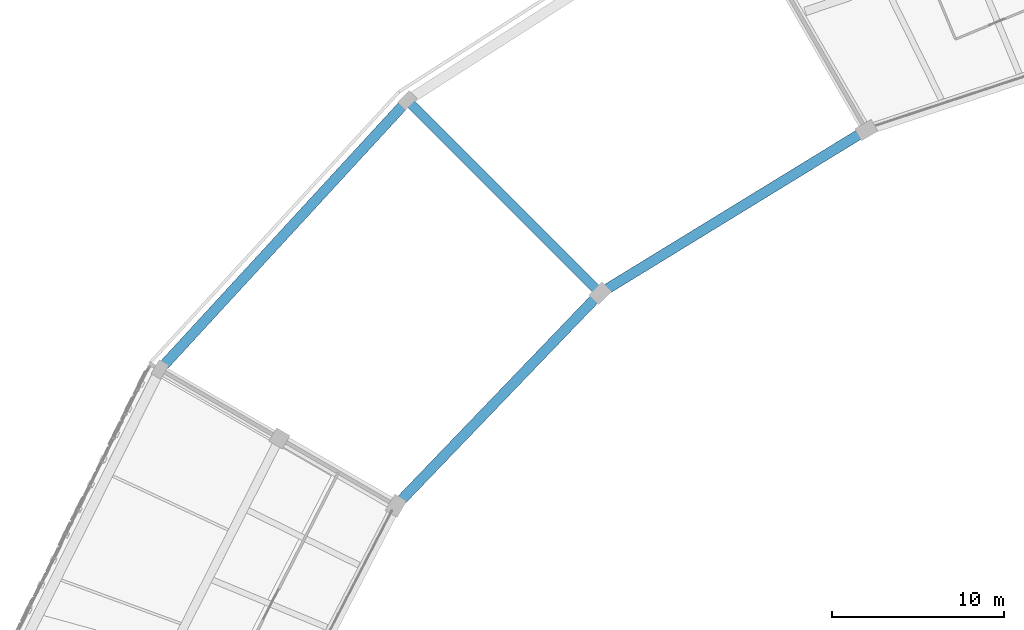
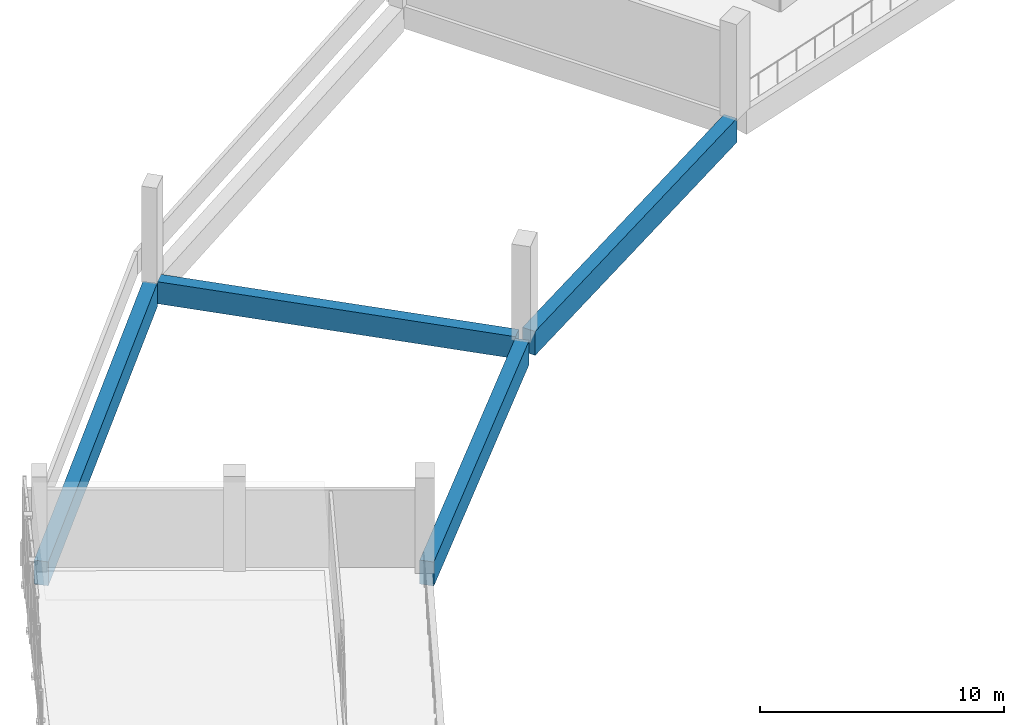
# One storey, part 15 of 64: 4 beams.
"""IFC4 building model written with IfcOpenShell, lengths in metres."""

import ifcopenshell
import ifcopenshell.guid

model = None  # the IFC model being written
_history = None  # IfcOwnerHistory: only IFC2X3 demands one
_inside = {}  # id of a spatial element -> (the spatial element, [elements in it])
_under = {}  # id of a project, library or spatial element -> (it, [spatial elements below it])
_declared = {}  # id of a project -> (the project, [libraries it declares])
_typed = {}  # id of a type object -> (the type object, [elements of that type])
_made_of = {}  # id of a material, layer set ... -> (it, [elements and type objects made of it])


def new_model(schema):
    """Start an empty IFC model of exactly this schema.

    Asked for "IFC4X3", IfcOpenShell would pick the latest addendum, in which some entities
    have other attributes; the version numbers below select the first issue.
    IFC2X3 requires an IfcOwnerHistory on every rooted entity: one is made here for all.
    """
    global model, _history
    if schema == "IFC4X3":
        model = ifcopenshell.file(schema_version=(4, 3, 0, 0))
    else:
        model = ifcopenshell.file(schema=schema)
    _inside.clear()
    _under.clear()
    _declared.clear()
    _typed.clear()
    _made_of.clear()
    _history = None
    if model.schema == "IFC2X3":
        org = make("IfcOrganization", Name="unknown")
        user = make(
            "IfcPersonAndOrganization",
            ThePerson=make("IfcPerson", FamilyName="unknown"),
            TheOrganization=org,
        )
        app = make(
            "IfcApplication",
            ApplicationDeveloper=org,
            Version="unknown",
            ApplicationFullName="unknown",
            ApplicationIdentifier="unknown",
        )
        _history = make(
            "IfcOwnerHistory",
            OwningUser=user,
            OwningApplication=app,
            ChangeAction="ADDED",
            CreationDate=0,
        )
    return model


def make(cls, **values):
    """One entity of the class cls with the attributes given. An attribute that is None is left unset."""
    return model.create_entity(
        cls, **{name: value for name, value in values.items() if value is not None}
    )


def rooted(cls, **values):
    """An entity with a GlobalId (a new one), such as an element, a storey or a relation."""
    return make(cls, GlobalId=ifcopenshell.guid.new(), OwnerHistory=_history, **values)


def si_unit(unit_type, name, prefix=None):
    """IfcSIUnit, for example si_unit("LENGTHUNIT", "METRE", prefix="MILLI")."""
    return make("IfcSIUnit", UnitType=unit_type, Prefix=prefix, Name=name)


def assignment(units):
    """IfcUnitAssignment: the units of a project."""
    return None if units is None else make("IfcUnitAssignment", Units=units)


def point(xyz):
    """IfcCartesianPoint."""
    return None if xyz is None else make("IfcCartesianPoint", Coordinates=xyz)


def direction(xyz):
    """IfcDirection."""
    return None if xyz is None else make("IfcDirection", DirectionRatios=xyz)


def frame(location, z_axis=None, x_axis=None):
    """IfcAxis2Placement3D, a coordinate frame: its origin and axes. An axis left out is left unset."""
    return make(
        "IfcAxis2Placement3D",
        Location=point(location),
        Axis=direction(z_axis),
        RefDirection=direction(x_axis),
    )


def frame_2d(location, x_axis=None):
    """IfcAxis2Placement2D, a coordinate frame in the plane: its origin and x axis."""
    return make(
        "IfcAxis2Placement2D", Location=point(location), RefDirection=direction(x_axis)
    )


def origin():
    """The frame at (0, 0, 0) with its axes left unset."""
    return frame((0.0, 0.0, 0.0))


def origin_2d():
    """The frame at (0, 0) in the plane with its x axis left unset."""
    return frame_2d((0.0, 0.0))


def place(relative_to, where):
    """IfcLocalPlacement: puts the frame where relative to a parent placement (None: the world)."""
    return make(
        "IfcLocalPlacement", PlacementRelTo=relative_to, RelativePlacement=where
    )


def context(
    kind, dimensions, precision=None, world=None, true_north=None, identifier=None
):
    """IfcGeometricRepresentationContext, for example the 3D "Model" context."""
    return make(
        "IfcGeometricRepresentationContext",
        ContextIdentifier=identifier,
        ContextType=kind,
        CoordinateSpaceDimension=dimensions,
        Precision=precision,
        WorldCoordinateSystem=world,
        TrueNorth=true_north,
    )


def subcontext(parent, identifier, kind, view, scale=None):
    """IfcGeometricRepresentationSubContext, for example "Body" below "Model"."""
    return make(
        "IfcGeometricRepresentationSubContext",
        ContextIdentifier=identifier,
        ContextType=kind,
        ParentContext=parent,
        TargetScale=scale,
        TargetView=view,
    )


def project(units=None, contexts=None):
    """IfcProject with its units and contexts."""
    return rooted(
        "IfcProject",
        Name="project",
        RepresentationContexts=contexts,
        UnitsInContext=assignment(units),
    )


def spatial(cls, under=None, at=None, **own):
    """A site, building, storey or space (cls), placed at a placement, below another one or the project."""
    s = rooted(cls, ObjectPlacement=at, **own)
    if under is not None:
        _under.setdefault(under.id(), (under, []))[1].append(s)
    return s


def profile(cls, at=None, kind="AREA", **sizes):
    """A parametric profile (cls). Its sizes go by their IFC names, for example OverallWidth=200.0."""
    return make(cls, ProfileType=kind, Position=at, **sizes)


def rectangle(**sizes):
    """IfcRectangleProfileDef."""
    return profile("IfcRectangleProfileDef", **sizes)


def extrude(swept, where, along, depth):
    """IfcExtrudedAreaSolid: the profile swept, set in the frame where, extruded along a direction by depth."""
    return make(
        "IfcExtrudedAreaSolid",
        SweptArea=swept,
        Position=where,
        ExtrudedDirection=direction(along),
        Depth=depth,
    )


def shape(context_of_items, identifier, shape_type, items):
    """IfcShapeRepresentation: the items that make up one representation, for example the "Body"."""
    return make(
        "IfcShapeRepresentation",
        ContextOfItems=context_of_items,
        RepresentationIdentifier=identifier,
        RepresentationType=shape_type,
        Items=items,
    )


def material(Name=None, Category=None):
    """IfcMaterial."""
    return make("IfcMaterial", Name=Name, Category=Category)


def material_profile(
    of_material, cross_section, Name=None, Category=None, Priority=None
):
    """IfcMaterialProfile: a cross section and its material."""
    return make(
        "IfcMaterialProfile",
        Name=Name,
        Material=of_material,
        Profile=cross_section,
        Priority=Priority,
        Category=Category,
    )


def profile_set(profiles, Name=None, composite=None):
    """IfcMaterialProfileSet."""
    return make(
        "IfcMaterialProfileSet",
        Name=Name,
        MaterialProfiles=profiles,
        CompositeProfile=composite,
    )


def made_of(thing, what):
    """Note that an element or type object is made of a material, layer set ...; save() writes the relation."""
    if what is not None:
        _made_of.setdefault(what.id(), (what, []))[1].append(thing)
    return thing


def type_object(cls, material=None, **own):
    """A type object (cls), such as IfcWallType, which elements share."""
    return made_of(rooted(cls, **own), material)


def element(
    cls,
    number,
    at=None,
    inside=None,
    cuts=None,
    type_object=None,
    material=None,
    context=None,
    identifier="Body",
    shape_type=None,
    held_by="IfcProductDefinitionShape",
    body=None,
    shapes=None,
    **own,
):
    """One element of the class cls, such as IfcWall. Its Tag is "e" and its number.

    at: its placement. inside: the storey or other place that contains it. cuts: it is an
    opening in that element (IfcRelVoidsElement). A single representation is given by context,
    identifier, shape_type and body (its items); several are given by shapes. held_by: the class
    of the entity that holds the representations. save() writes the other relations.
    """
    e = rooted(cls, Tag="e%d" % number, ObjectPlacement=at, **own)
    if body is not None:
        shapes = [shape(context, identifier, shape_type, body)]
    if shapes is not None:
        e.Representation = make(held_by, Representations=shapes)
    if inside is not None:
        _inside.setdefault(inside.id(), (inside, []))[1].append(e)
    if cuts is not None:
        rooted(
            "IfcRelVoidsElement", RelatingBuildingElement=cuts, RelatedOpeningElement=e
        )
    if type_object is not None:
        _typed.setdefault(type_object.id(), (type_object, []))[1].append(e)
    return made_of(e, material)


def aggregate(whole, parts):
    """IfcRelAggregates: a whole, such as a stair, and the parts it consists of."""
    return rooted("IfcRelAggregates", RelatingObject=whole, RelatedObjects=parts)


def save(model, path):
    """Write the relations noted so far, then the file.

    IfcRelAggregates (storeys below a building ...), IfcRelContainedInSpatialStructure (elements
    in a storey), IfcRelDefinesByType, IfcRelAssociatesMaterial and IfcRelDeclares: one each for
    every whole, place, type object, material and project.
    """
    for whole, parts in _under.values():
        aggregate(whole, parts)
    for where, things in _inside.values():
        rooted(
            "IfcRelContainedInSpatialStructure",
            RelatedElements=things,
            RelatingStructure=where,
        )
    for kind, things in _typed.values():
        rooted("IfcRelDefinesByType", RelatedObjects=things, RelatingType=kind)
    for what, things in _made_of.values():
        rooted("IfcRelAssociatesMaterial", RelatedObjects=things, RelatingMaterial=what)
    for by, libraries in _declared.values():
        rooted("IfcRelDeclares", RelatingContext=by, RelatedDefinitions=libraries)
    model.write(path)


model = new_model("IFC4")

# Units and contexts
model_context = context("Model", 3, precision=1e-05, world=origin(), true_north=direction((0.0, 1.0)))
body_context = subcontext(model_context, "Body", "Model", "MODEL_VIEW")
ifc_project = project(units=[si_unit("LENGTHUNIT", "METRE"), si_unit("AREAUNIT", "SQUARE_METRE"), si_unit("VOLUMEUNIT", "CUBIC_METRE"), si_unit("PLANEANGLEUNIT", "RADIAN"), si_unit("MASSUNIT", "GRAM", prefix="KILO")], contexts=[model_context])

# Site, building, storey
site_placement = place(None, origin())
site = spatial("IfcSite", under=ifc_project, at=site_placement, CompositionType="ELEMENT")
building_placement = place(site_placement, origin())
building = spatial("IfcBuilding", under=site, at=building_placement, Name="Zevraka Park Crest Stadium", CompositionType="ELEMENT")
storey_placement = place(building_placement, frame((0.0, 0.0, 24.60009765625)))
storey = spatial("IfcBuildingStorey", under=building, at=storey_placement, Name="L05", CompositionType="ELEMENT", Elevation=24.60009765625)

# Beams
ifc_material_1 = material(Name="Concrete C40/50", Category="concrete")
ifc_material_profile_1 = material_profile(ifc_material_1, rectangle(XDim=0.550048828125, YDim=1.10009765625, at=origin_2d()), Name="RC 1100x550")
ifc_profile_set_1 = profile_set([ifc_material_profile_1], Name="Concrete C40/50")
beam_type_1 = type_object("IfcBeamType", Name="BG02", PredefinedType="BEAM", material=ifc_profile_set_1)
beam_1_placement = place(storey_placement, frame((59.10888671875, 134.284912109375, -0.56005859375), z_axis=(-0.707130872727, 0.707082688826, 0.0), x_axis=(-0.707082688826, -0.707130872727, 0.0)))
element("IfcBeam", 1, at=beam_1_placement, inside=storey, type_object=beam_type_1, Name="Radial Girder BG02 L05-BD-09", PredefinedType="BEAM", context=body_context, shape_type="SweptSolid", body=[
    extrude(rectangle(XDim=0.550048828125, YDim=1.10009765625, at=origin_2d()), origin(), (0.0, 0.0, 1.0), 15.200439453125),
])
ifc_material_2 = material(Name="Concrete C40/50", Category="concrete")
ifc_material_profile_2 = material_profile(ifc_material_2, rectangle(XDim=0.60009765625, YDim=1.199951171875, at=origin_2d()), Name="RC 1200x600")
ifc_profile_set_2 = profile_set([ifc_material_profile_2], Name="Concrete C40/50")
beam_type_2 = type_object("IfcBeamType", Name="RB01", PredefinedType="BEAM", material=ifc_profile_set_2)
beam_2_placement = place(storey_placement, frame((74.426025390625, 143.330078125, -0.610107421875), z_axis=(-0.852632623571, -0.522510869956, 0.0), x_axis=(0.522510869956, -0.852632623571, 0.0)))
element("IfcBeam", 2, at=beam_2_placement, inside=storey, type_object=beam_type_2, Name="Ring Beam RB01 L05-B-08", PredefinedType="BEAM", context=body_context, shape_type="SweptSolid", body=[
    extrude(rectangle(XDim=0.60009765625, YDim=1.199951171875, at=origin_2d()), origin(), (0.0, 0.0, 1.0), 17.335693359375),
])
beam_3_placement = place(storey_placement, frame((59.05810546875, 133.799072265625, -0.610107421875), z_axis=(-0.692852617328, -0.721079226342, 0.0), x_axis=(0.721079226342, -0.692852617328, 0.0)))
element("IfcBeam", 3, at=beam_3_placement, inside=storey, type_object=beam_type_2, Name="Ring Beam RB01 L05-B-09", PredefinedType="BEAM", context=body_context, shape_type="SweptSolid", body=[
    extrude(rectangle(XDim=0.60009765625, YDim=1.199951171875, at=origin_2d()), origin(), (0.0, 0.0, 1.0), 16.329833984375),
])
beam_4_placement = place(storey_placement, frame((47.89111328125, 144.965087890625, -0.610107421875), z_axis=(-0.677158252403, -0.735837414924, 0.0), x_axis=(0.735837414924, -0.677158252403, 0.0)))
element("IfcBeam", 4, at=beam_4_placement, inside=storey, type_object=beam_type_2, Name="Ring Beam RB01 L05-D-09", PredefinedType="BEAM", context=body_context, shape_type="SweptSolid", body=[
    extrude(rectangle(XDim=0.60009765625, YDim=1.199951171875, at=origin_2d()), origin(), (0.0, 0.0, 1.0), 20.4326171875),
])

save(model, "model.ifc")
